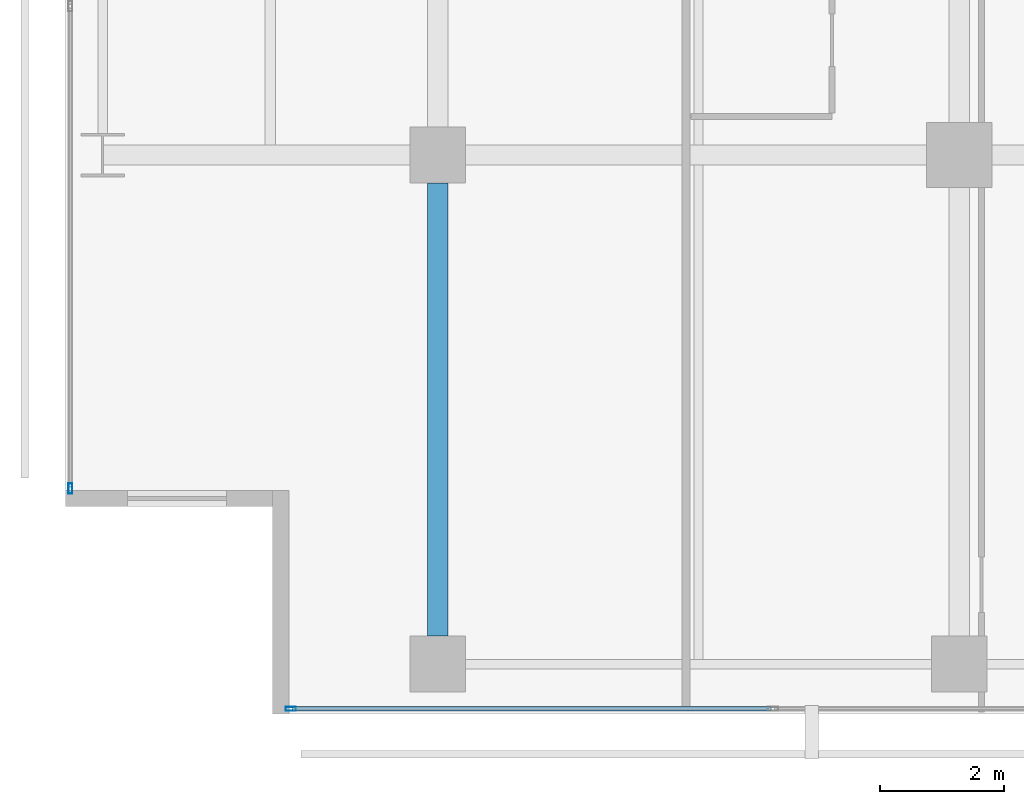
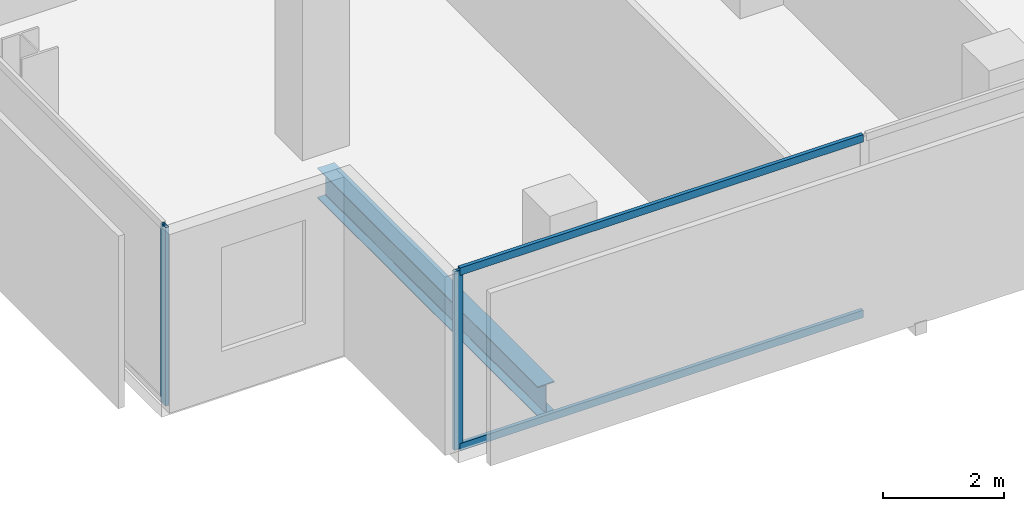
# One storey, part 2 of 40: 4 members, 1 beam, 2 elements without a shape of their own.
"""IFC4 building model written with IfcOpenShell, lengths in metres."""

from ifc_helpers import new_model, si_unit, direction, frame, origin, origin_2d, place, context, subcontext, project, spatial, hollow_rectangle, i_section, extrude, material, layer, layer_set, material_profile, profile_set, type_object, element, aggregate, save


model = new_model("IFC4")

# Units and contexts
model_context = context("Model", 3, precision=1e-05, world=origin(), true_north=direction((0.0, 1.0)))
body_context = subcontext(model_context, "Body", "Model", "MODEL_VIEW")
ifc_project = project(units=[si_unit("LENGTHUNIT", "METRE"), si_unit("AREAUNIT", "SQUARE_METRE"), si_unit("VOLUMEUNIT", "CUBIC_METRE"), si_unit("PLANEANGLEUNIT", "RADIAN"), si_unit("MASSUNIT", "GRAM", prefix="KILO")], contexts=[model_context])

# Site, building, storey
site_placement = place(None, origin())
site = spatial("IfcSite", under=ifc_project, at=site_placement, CompositionType="ELEMENT")
building_placement = place(site_placement, origin())
building = spatial("IfcBuilding", under=site, at=building_placement, Name="Maruvema Waterfront Hotel and Observation Tower", CompositionType="ELEMENT")
storey_placement = place(building_placement, frame((0.0, 0.0, 88.550048828125)))
storey = spatial("IfcBuildingStorey", under=building, at=storey_placement, Name="L21", CompositionType="ELEMENT", Elevation=88.550048828125)

# Curtain wall, members
ifc_material_1 = material(Name="Anodised bronze aluminium and solar-control low-E IGU", Category="aluminium")
ifc_layer = layer(ifc_material_1, 0.159912109375, Name="Zone 1 Bronze Inner Thermal Curtain Wall System CW-02")
ifc_layer_set = layer_set([ifc_layer], Name="Anodised bronze aluminium and solar-control low-E IGU")
curtain_wall_type = type_object("IfcCurtainWallType", Name="Zone 1 Bronze Inner Thermal Curtain Wall System CW-02", PredefinedType="USERDEFINED", material=ifc_layer_set)
curtain_wall_1_placement = place(storey_placement, origin())
curtain_wall_1 = element("IfcCurtainWall", 1, at=curtain_wall_1_placement, inside=storey, type_object=curtain_wall_type, Name="L21 Curtain Wall CW-L21-S", ObjectType="UNITISED CURTAIN WALL", PredefinedType="USERDEFINED")
ifc_material_2 = material(Name="Anodised architectural bronze aluminium", Category="aluminium")
ifc_material_profile_1 = material_profile(ifc_material_2, hollow_rectangle(XDim=0.070068359375, YDim=0.14990234375, WallThickness=0.00390625, at=origin_2d()), Name="ALU-T70x150")
ifc_profile_set_1 = profile_set([ifc_material_profile_1], Name="Anodised architectural bronze aluminium")
member_type_1 = type_object("IfcMemberType", Name="Curtain Wall Horizontal Transom ALU-T70x150", PredefinedType="USERDEFINED", material=ifc_profile_set_1)
member_1_placement = place(storey_placement, frame((14.4599609375, 0.080078125, 0.030029296875), z_axis=(1.0, 0.0, 0.0), x_axis=(0.0, 1.0, 0.0)))
member_1 = element("IfcMember", 2, at=member_1_placement, type_object=member_type_1, Name="CW-02 transom 1.1", ObjectType="TRANSOM", PredefinedType="USERDEFINED", context=body_context, shape_type="SweptSolid", body=[
    extrude(hollow_rectangle(XDim=0.070068359375, YDim=0.14990234375, WallThickness=0.00390625, at=origin_2d()), origin(), (0.0, 0.0, 1.0), 7.7099609375),
])
member_2_placement = place(storey_placement, frame((14.4599609375, 0.080078125, 3.579833984375), z_axis=(1.0, 0.0, 0.0), x_axis=(0.0, 1.0, 0.0)))
member_2 = element("IfcMember", 3, at=member_2_placement, type_object=member_type_1, Name="CW-02 transom 1.2", ObjectType="TRANSOM", PredefinedType="USERDEFINED", context=body_context, shape_type="SweptSolid", body=[
    extrude(hollow_rectangle(XDim=0.070068359375, YDim=0.14990234375, WallThickness=0.00390625, at=origin_2d()), origin(), (0.0, 0.0, 1.0), 7.7099609375),
])
ifc_material_3 = material(Name="Anodised architectural bronze aluminium", Category="aluminium")
ifc_material_profile_2 = material_profile(ifc_material_3, hollow_rectangle(XDim=0.06494140625, YDim=0.1650390625, WallThickness=0.00390625, at=origin_2d()), Name="ALU-M65x165")
ifc_profile_set_2 = profile_set([ifc_material_profile_2], Name="Anodised architectural bronze aluminium")
member_type_2 = type_object("IfcMemberType", Name="Curtain Wall Primary Mullion ALU-M65x165", PredefinedType="MULLION", material=ifc_profile_set_2)
member_3_placement = place(storey_placement, frame((14.429931640625, 0.080078125, 0.0), z_axis=(0.0, 0.0, 1.0), x_axis=(0.0, 1.0, 0.0)))
member_3 = element("IfcMember", 4, at=member_3_placement, type_object=member_type_2, Name="CW-02 mullion 1", PredefinedType="MULLION", context=body_context, shape_type="SweptSolid", body=[
    extrude(hollow_rectangle(XDim=0.06494140625, YDim=0.1650390625, WallThickness=0.00390625, at=origin_2d()), origin(), (0.0, 0.0, 1.0), 3.60986328125),
])
aggregate(curtain_wall_1, [member_3, member_1, member_2])

# Curtain wall, member
curtain_wall_2_placement = place(storey_placement, origin())
curtain_wall_2 = element("IfcCurtainWall", 5, at=curtain_wall_2_placement, inside=storey, type_object=curtain_wall_type, Name="L21 Curtain Wall CW-L21-W", ObjectType="UNITISED CURTAIN WALL", PredefinedType="USERDEFINED")
member_4_placement = place(storey_placement, frame((10.8798828125, 3.6298828125, 0.0), z_axis=(0.0, 0.0, 1.0), x_axis=(1.0, 0.0, 0.0)))
member_4 = element("IfcMember", 6, at=member_4_placement, type_object=member_type_2, Name="CW-02 mullion 7", PredefinedType="MULLION", context=body_context, shape_type="SweptSolid", body=[
    extrude(hollow_rectangle(XDim=0.06494140625, YDim=0.1650390625, WallThickness=0.00390625, at=origin_2d()), origin(), (0.0, 0.0, 1.0), 3.60986328125),
])
aggregate(curtain_wall_2, [member_4])

# Beam
ifc_material_4 = material(Name="Steel ASTM A572 Grade 50", Category="steel")
ifc_material_profile_3 = material_profile(ifc_material_4, i_section(OverallWidth=0.323974609375, OverallDepth=0.611083984375, WebThickness=0.0126953125, FlangeThickness=0.01904296875, FilletRadius=0.01806640625, at=origin_2d()), Name="W610x155.0")
ifc_profile_set_3 = profile_set([ifc_material_profile_3], Name="Steel ASTM A572 Grade 50")
beam_type = type_object("IfcBeamType", Name="Primary Floor Girder W610x155.0", PredefinedType="BEAM", material=ifc_profile_set_3)
beam_placement = place(storey_placement, frame((16.800048828125, 1.25, -0.545654296875), z_axis=(0.0, 1.0, 0.0), x_axis=(-1.0, 0.0, 0.0)))
element("IfcBeam", 7, at=beam_placement, inside=storey, type_object=beam_type, Name="L21 Floor Girder NS-05", PredefinedType="BEAM", context=body_context, shape_type="SweptSolid", body=[
    extrude(i_section(OverallWidth=0.323974609375, OverallDepth=0.611083984375, WebThickness=0.0126953125, FlangeThickness=0.01904296875, FilletRadius=0.01806640625, at=origin_2d()), origin(), (0.0, 0.0, 1.0), 7.300048828125),
])

save(model, "model.ifc")
